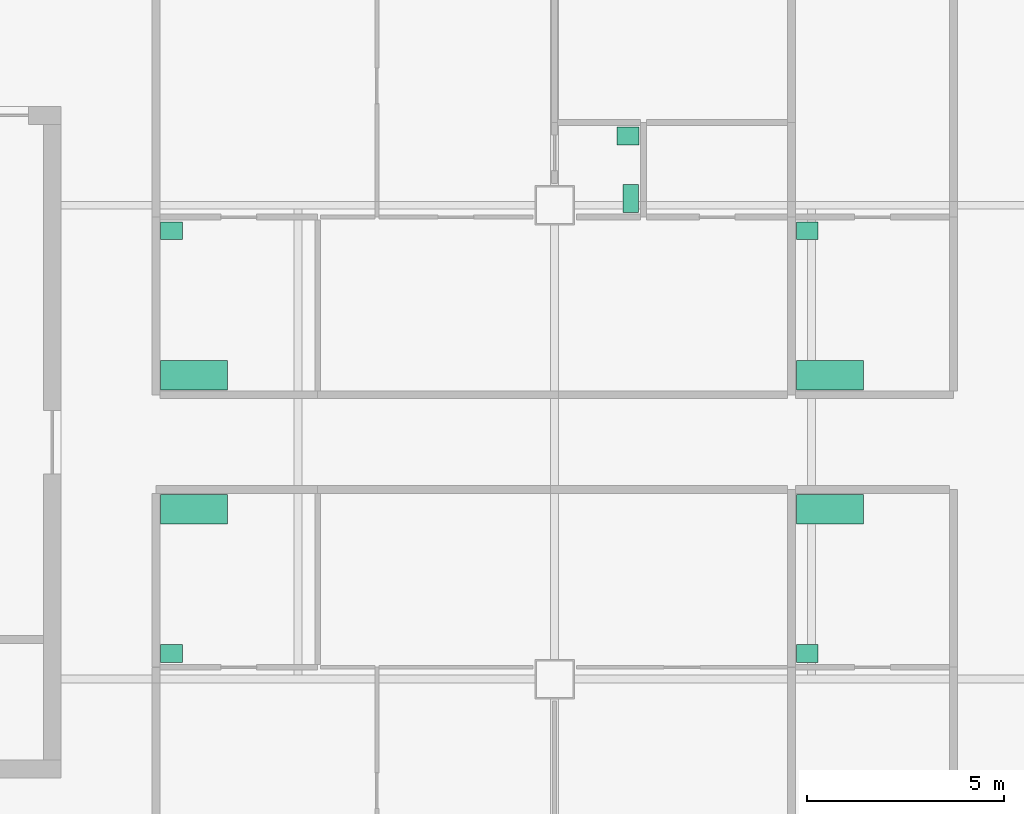
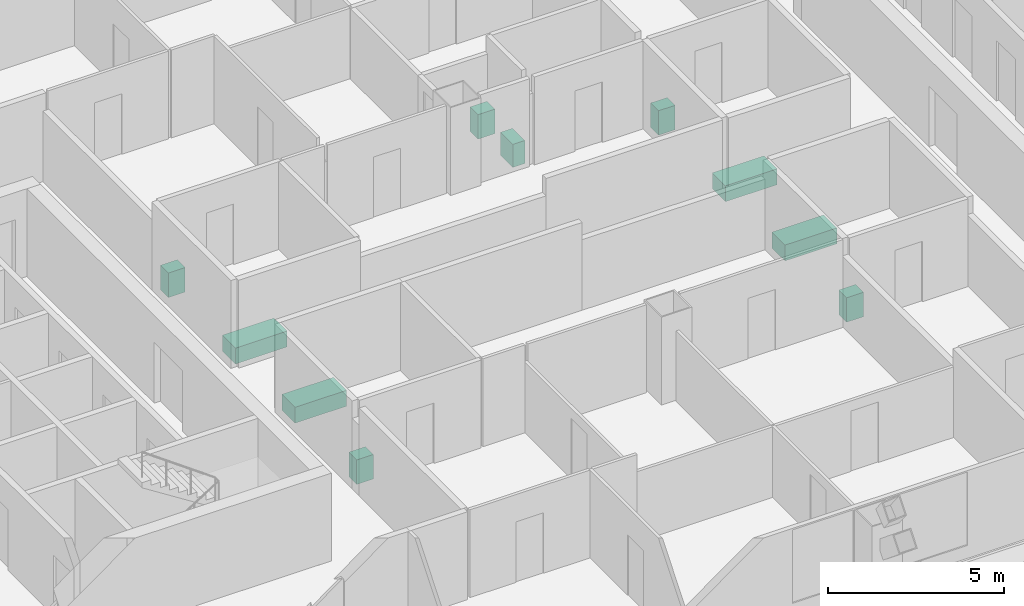
# One storey, part 8 of 8: 10 sanitary terminals.
"""IFC4 building model written with IfcOpenShell, lengths in metres."""

from ifc_helpers import new_model, si_unit, direction, frame, origin, origin_2d, place, context, subcontext, project, spatial, rectangle, extrude, material, type_object, element, save


model = new_model("IFC4")

# Units and contexts
model_context = context("Model", 3, precision=1e-05, world=origin(), true_north=direction((0.0, 1.0)))
body_context = subcontext(model_context, "Body", "Model", "MODEL_VIEW")
ifc_project = project(units=[si_unit("LENGTHUNIT", "METRE"), si_unit("AREAUNIT", "SQUARE_METRE"), si_unit("VOLUMEUNIT", "CUBIC_METRE"), si_unit("PLANEANGLEUNIT", "RADIAN"), si_unit("MASSUNIT", "GRAM", prefix="KILO")], contexts=[model_context])

# Site, building, storey
site_placement = place(None, origin())
site = spatial("IfcSite", under=ifc_project, at=site_placement, CompositionType="ELEMENT")
building_placement = place(site_placement, origin())
building = spatial("IfcBuilding", under=site, at=building_placement, Name="Kitamizu Gate Tower and Museum", CompositionType="ELEMENT")
storey_placement = place(building_placement, frame((0.0, 0.0, 266.25)))
storey = spatial("IfcBuildingStorey", under=building, at=storey_placement, Name="L72", CompositionType="ELEMENT", Elevation=266.25)

# Sanitary terminals
ifc_material_1 = material(Name="Acrylic")
sanitary_terminal_type_1 = type_object("IfcSanitaryTerminalType", Name="Bath", PredefinedType="BATH", material=ifc_material_1)
for number, where, z_axis, x_axis, name in (
    (1, (26.8701171875, 28.304931640625, 0.0009765625), (0.0, 0.0, 1.0), (1.0, 0.0, 0.0), "Bath Bathroom and WC 72A"),
    (2, (26.8701171875, 31.695068359375, 0.0009765625), (0.0, 0.0, 1.0), (1.0, 0.0, 0.0), "Bath Bathroom 72B"),
    (3, (42.969970703125, 28.304931640625, 0.0009765625), (0.0, 0.0, 1.0), (1.0, 0.0, 0.0), "Bath Bathroom and WC 72C"),
    (4, (42.969970703125, 31.695068359375, 0.0009765625), (0.0, 0.0, 1.0), (1.0, 0.0, 0.0), "Bath Bathroom and WC 72D"),
):
    element("IfcSanitaryTerminal", number, at=place(storey_placement, frame(where, z_axis=z_axis, x_axis=x_axis)), inside=storey, type_object=sanitary_terminal_type_1, Name=name, PredefinedType="BATH", context=body_context, shape_type="SweptSolid", body=[
        extrude(rectangle(XDim=1.699951171875, YDim=0.75, at=origin_2d()), origin(), (0.0, 0.0, 1.0), 0.550048828125),
    ])
ifc_material_2 = material(Name="Vitreous china")
sanitary_terminal_type_2 = type_object("IfcSanitaryTerminalType", Name="Wash hand basin", PredefinedType="WASHHANDBASIN", material=ifc_material_2)
for number, where, z_axis, x_axis, name in (
    (5, (26.294921875, 24.64501953125, 0.0009765625), (0.0, 0.0, 1.0), (1.0, 0.0, 0.0), "Wash hand basin Bathroom and WC 72A"),
    (6, (37.85498046875, 37.7548828125, 0.0009765625), (0.0, 0.0, 1.0), (1.0, 0.0, 0.0), "Wash hand basin WC 72B"),
    (7, (26.294921875, 35.35498046875, 0.0009765625), (0.0, 0.0, 1.0), (1.0, 0.0, 0.0), "Wash hand basin Bathroom 72B"),
    (8, (42.39501953125, 24.64501953125, 0.0009765625), (0.0, 0.0, 1.0), (1.0, 0.0, 0.0), "Wash hand basin Bathroom and WC 72C"),
    (9, (42.39501953125, 35.35498046875, 0.0009765625), (0.0, 0.0, 1.0), (1.0, 0.0, 0.0), "Wash hand basin Bathroom and WC 72D"),
):
    element("IfcSanitaryTerminal", number, at=place(storey_placement, frame(where, z_axis=z_axis, x_axis=x_axis)), inside=storey, type_object=sanitary_terminal_type_2, Name=name, PredefinedType="WASHHANDBASIN", context=body_context, shape_type="SweptSolid", body=[
        extrude(rectangle(XDim=0.550048828125, YDim=0.449951171875, at=origin_2d()), origin(), (0.0, 0.0, 1.0), 0.85009765625),
    ])
ifc_material_3 = material(Name="Vitreous china")
sanitary_terminal_type_3 = type_object("IfcSanitaryTerminalType", Name="Water closet", PredefinedType="TOILETPAN", material=ifc_material_3)
sanitary_terminal_placement = place(storey_placement, frame((37.929931640625, 36.169921875, 0.0009765625), z_axis=(0.0, 0.0, 1.0), x_axis=(1.0, 0.0, 0.0)))
element("IfcSanitaryTerminal", 10, at=sanitary_terminal_placement, inside=storey, type_object=sanitary_terminal_type_3, Name="Water closet WC 72B", PredefinedType="TOILETPAN", context=body_context, shape_type="SweptSolid", body=[
    extrude(rectangle(XDim=0.39990234375, YDim=0.699951171875, at=origin_2d()), origin(), (0.0, 0.0, 1.0), 0.800048828125),
])

save(model, "model.ifc")
